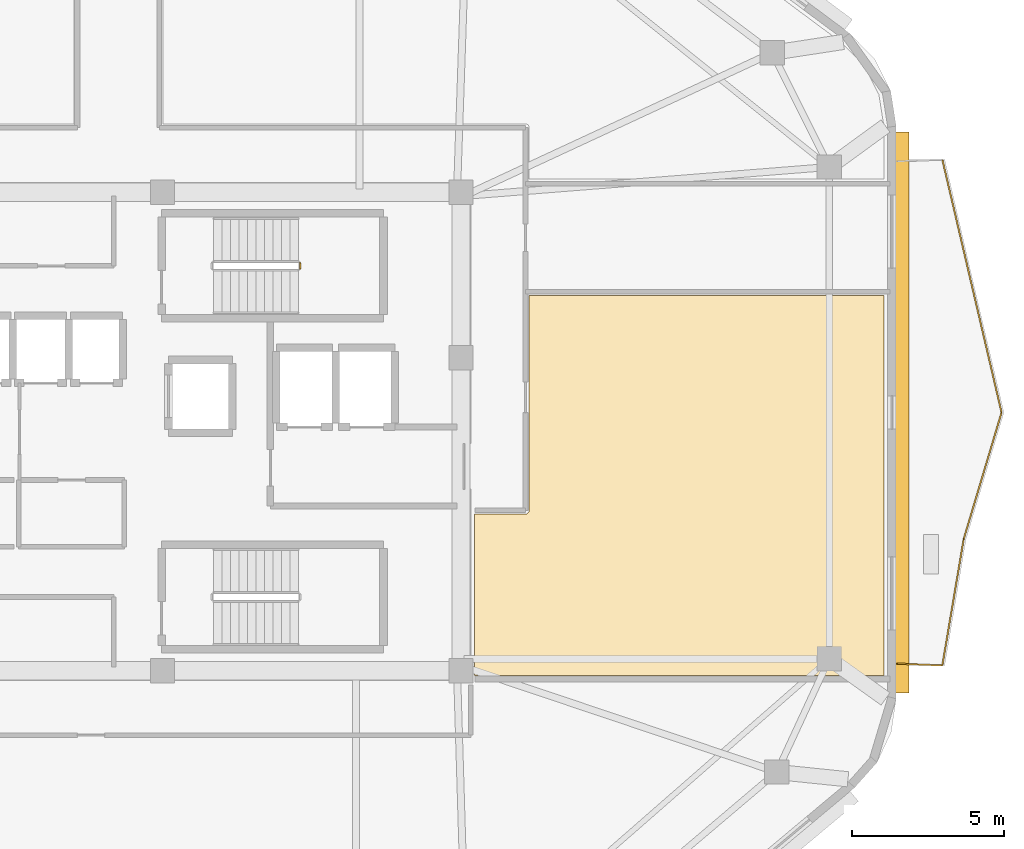
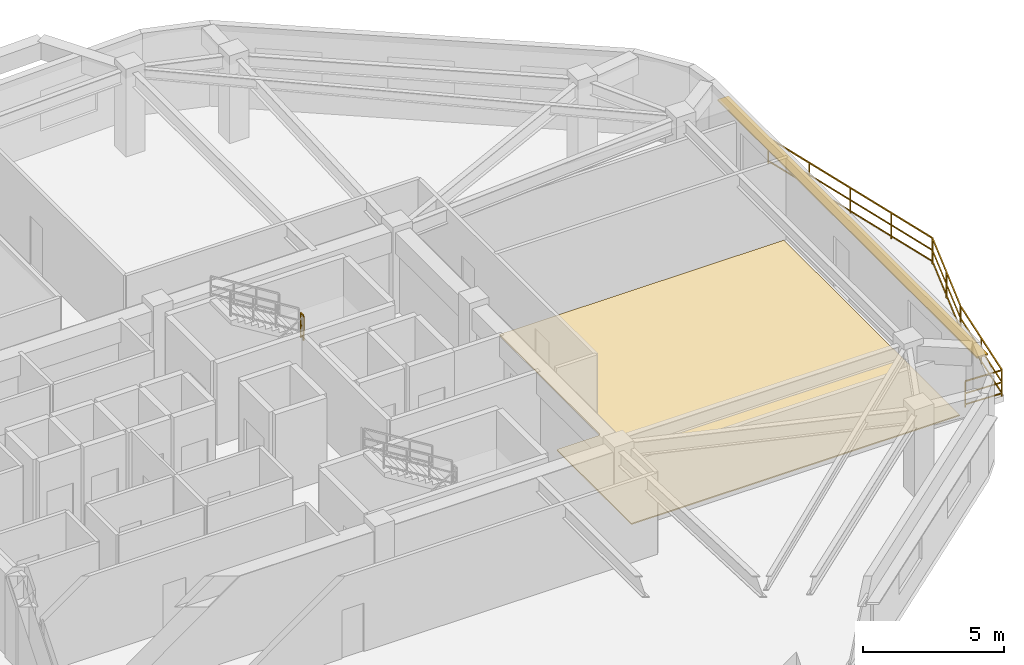
# One storey, part 12 of 13: 5 railings, 1 covering, 1 shading device.
"""IFC4 building model written with IfcOpenShell, lengths in metres."""

from ifc_helpers import new_model, si_unit, direction, frame, origin, origin_2d, place, context, subcontext, project, spatial, polyline, rectangle, outline, extrude, material, layer, layer_set, type_object, element, save


model = new_model("IFC4")

# Units and contexts
model_context = context("Model", 3, precision=1e-05, world=origin(), true_north=direction((0.0, 1.0)))
body_context = subcontext(model_context, "Body", "Model", "MODEL_VIEW")
ifc_project = project(units=[si_unit("LENGTHUNIT", "METRE"), si_unit("AREAUNIT", "SQUARE_METRE"), si_unit("VOLUMEUNIT", "CUBIC_METRE"), si_unit("PLANEANGLEUNIT", "RADIAN"), si_unit("MASSUNIT", "GRAM", prefix="KILO")], contexts=[model_context])

# Site, building, storey
site_placement = place(None, origin())
site = spatial("IfcSite", under=ifc_project, at=site_placement, CompositionType="ELEMENT")
building_placement = place(site_placement, origin())
building = spatial("IfcBuilding", under=site, at=building_placement, Name="Zulverin Broadcast Headquarters", CompositionType="ELEMENT")
storey_placement = place(building_placement, frame((0.0, 0.0, 278.199951171875)))
storey = spatial("IfcBuildingStorey", under=building, at=storey_placement, Name="L71", CompositionType="ELEMENT", Elevation=278.199951171875)

# Covering
ifc_material_1 = material(Name="Anti-static broadcast raised access flooring", Category="stone")
ifc_layer_1 = layer(ifc_material_1, 0.050048828125, Name="Anti-static broadcast raised access flooring", Category="stone")
ifc_layer_set_1 = layer_set([ifc_layer_1], Name="Anti-static broadcast raised access flooring")
covering_type = type_object("IfcCoveringType", Name="COV-FLR-RAISED", PredefinedType="FLOORING", material=ifc_layer_set_1)
covering_placement = place(storey_placement, origin())
element("IfcCovering", 1, at=covering_placement, inside=storey, type_object=covering_type, Name="L71 Broadcast Raised Access Flooring 02", PredefinedType="FLOORING", context=body_context, shape_type="SweptSolid", body=[
    extrude(outline(polyline([(62.199951171875, 17.172119140625), (62.199951171875, 29.679931640625), (50.52001953125, 29.679931640625), (50.52001953125, 22.60009765625), (50.52001953125, 22.587890625), (50.51611328125, 22.575927734375), (50.51611328125, 22.56396484375), (50.511962890625, 22.555908203125), (50.50390625, 22.5439453125), (50.5, 22.531982421875), (50.491943359375, 22.52392578125), (50.48388671875, 22.51611328125), (50.47607421875, 22.508056640625), (50.468017578125, 22.5), (50.4560546875, 22.49609375), (50.444091796875, 22.488037109375), (50.43603515625, 22.48388671875), (50.424072265625, 22.48388671875), (50.412109375, 22.47998046875), (50.39990234375, 22.47998046875), (48.719970703125, 22.47998046875), (48.719970703125, 17.172119140625), (62.199951171875, 17.172119140625)])), origin(), (0.0, 0.0, 1.0), 0.050048828125),
])

# Railings
ifc_material_2 = material(Name="Brushed stainless steel & laminated glass balustrade", Category="steel")
railing_type_1 = type_object("IfcRailingType", Name="RL-GUARD-1150", PredefinedType="GUARDRAIL", material=ifc_material_2)
railing_1_placement = place(storey_placement, frame((62.639892578125, 17.555419921875, 0.0)))
element("IfcRailing", 2, at=railing_1_placement, inside=storey, type_object=railing_type_1, Name="L71 Vertical-Forest Balcony Guardrail BAL_E Segment 01", PredefinedType="GUARDRAIL", context=body_context, shape_type="SweptSolid", body=[
    extrude(rectangle(XDim=0.048095703125, YDim=0.048095703125, at=origin_2d()), frame((0.0, 0.0, 1.1259765625), z_axis=(0.999181155166, -0.040460093435, 0.0), x_axis=(0.040460093435, 0.999181155166, 0.0)), (0.0, 0.0, 1.0), 1.46630859375),
    extrude(rectangle(XDim=0.0419921875, YDim=0.0419921875, at=origin_2d()), frame((0.0, 0.0, 0.597900390625), z_axis=(0.999181155166, -0.040460093435, 0.0), x_axis=(0.040460093435, 0.999181155166, 0.0)), (0.0, 0.0, 1.0), 1.46630859375),
    extrude(rectangle(XDim=0.0419921875, YDim=0.0419921875, at=origin_2d()), frame((0.0, 0.0, 0.1201171875), z_axis=(0.999181155166, -0.040460093435, 0.0), x_axis=(0.040460093435, 0.999181155166, 0.0)), (0.0, 0.0, 1.0), 1.46630859375),
    extrude(rectangle(XDim=0.0419921875, YDim=0.0419921875, at=origin_2d()), origin(), (0.0, 0.0, 1.0), 1.101806640625),
    extrude(rectangle(XDim=0.0419921875, YDim=0.0419921875, at=origin_2d()), frame((1.465087890625, -0.059326171875, 0.0)), (0.0, 0.0, 1.0), 1.101806640625),
])
railing_2_placement = place(storey_placement, frame((64.12255859375, 17.51025390625, 0.0)))
element("IfcRailing", 3, at=railing_2_placement, inside=storey, type_object=railing_type_1, Name="L71 Vertical-Forest Balcony Guardrail BAL_E Segment 02", PredefinedType="GUARDRAIL", context=body_context, shape_type="SweptSolid", body=[
    extrude(rectangle(XDim=0.048095703125, YDim=0.048095703125, at=origin_2d()), frame((0.0, 0.0, 1.1259765625), z_axis=(0.166711990375, 0.986005635007, 0.0), x_axis=(-0.986005635007, 0.166711990375, 0.0)), (0.0, 0.0, 1.0), 4.192626953125),
    extrude(rectangle(XDim=0.0419921875, YDim=0.0419921875, at=origin_2d()), frame((0.0, 0.0, 0.597900390625), z_axis=(0.166711990375, 0.986005635007, 0.0), x_axis=(-0.986005635007, 0.166711990375, 0.0)), (0.0, 0.0, 1.0), 4.192626953125),
    extrude(rectangle(XDim=0.0419921875, YDim=0.0419921875, at=origin_2d()), frame((0.0, 0.0, 0.1201171875), z_axis=(0.166711990375, 0.986005635007, 0.0), x_axis=(-0.986005635007, 0.166711990375, 0.0)), (0.0, 0.0, 1.0), 4.192626953125),
    extrude(rectangle(XDim=0.0419921875, YDim=0.0419921875, at=origin_2d()), origin(), (0.0, 0.0, 1.0), 1.101806640625),
    extrude(rectangle(XDim=0.0419921875, YDim=0.0419921875, at=origin_2d()), frame((0.349609375, 2.06689453125, 0.0)), (0.0, 0.0, 1.0), 1.101806640625),
    extrude(rectangle(XDim=0.0419921875, YDim=0.0419921875, at=origin_2d()), frame((0.698974609375, 4.134033203125, 0.0)), (0.0, 0.0, 1.0), 1.101806640625),
])
railing_3_placement = place(storey_placement, frame((64.828369140625, 21.673583984375, 0.0)))
element("IfcRailing", 4, at=railing_3_placement, inside=storey, type_object=railing_type_1, Name="L71 Vertical-Forest Balcony Guardrail BAL_E Segment 03", PredefinedType="GUARDRAIL", context=body_context, shape_type="SweptSolid", body=[
    extrude(rectangle(XDim=0.048095703125, YDim=0.048095703125, at=origin_2d()), frame((0.0, 0.0, 1.1259765625), z_axis=(0.28668353884, 0.958025338161, 0.0), x_axis=(-0.958025338161, 0.28668353884, 0.0)), (0.0, 0.0, 1.0), 4.31591796875),
    extrude(rectangle(XDim=0.0419921875, YDim=0.0419921875, at=origin_2d()), frame((0.0, 0.0, 0.597900390625), z_axis=(0.28668353884, 0.958025338161, 0.0), x_axis=(-0.958025338161, 0.28668353884, 0.0)), (0.0, 0.0, 1.0), 4.31591796875),
    extrude(rectangle(XDim=0.0419921875, YDim=0.0419921875, at=origin_2d()), frame((0.0, 0.0, 0.1201171875), z_axis=(0.28668353884, 0.958025338161, 0.0), x_axis=(-0.958025338161, 0.28668353884, 0.0)), (0.0, 0.0, 1.0), 4.31591796875),
    extrude(rectangle(XDim=0.0419921875, YDim=0.0419921875, at=origin_2d()), origin(), (0.0, 0.0, 1.0), 1.101806640625),
    extrude(rectangle(XDim=0.0419921875, YDim=0.0419921875, at=origin_2d()), frame((0.61865234375, 2.0673828125, 0.0)), (0.0, 0.0, 1.0), 1.101806640625),
    extrude(rectangle(XDim=0.0419921875, YDim=0.0419921875, at=origin_2d()), frame((1.2373046875, 4.134765625, 0.0)), (0.0, 0.0, 1.0), 1.101806640625),
])
railing_4_placement = place(storey_placement, frame((66.066650390625, 25.83740234375, 0.0)))
element("IfcRailing", 5, at=railing_4_placement, inside=storey, type_object=railing_type_1, Name="L71 Vertical-Forest Balcony Guardrail BAL_E Segment 04", PredefinedType="GUARDRAIL", context=body_context, shape_type="SweptSolid", body=[
    extrude(rectangle(XDim=0.048095703125, YDim=0.048095703125, at=origin_2d()), frame((0.0, 0.0, 1.1259765625), z_axis=(-0.228023724905, 0.973655576105, 0.0), x_axis=(-0.973655576105, -0.228023724905, 0.0)), (0.0, 0.0, 1.0), 8.522705078125),
    extrude(rectangle(XDim=0.0419921875, YDim=0.0419921875, at=origin_2d()), frame((0.0, 0.0, 0.597900390625), z_axis=(-0.228023724905, 0.973655576105, 0.0), x_axis=(-0.973655576105, -0.228023724905, 0.0)), (0.0, 0.0, 1.0), 8.522705078125),
    extrude(rectangle(XDim=0.0419921875, YDim=0.0419921875, at=origin_2d()), frame((0.0, 0.0, 0.1201171875), z_axis=(-0.228023724905, 0.973655576105, 0.0), x_axis=(-0.973655576105, -0.228023724905, 0.0)), (0.0, 0.0, 1.0), 8.522705078125),
    extrude(rectangle(XDim=0.0419921875, YDim=0.0419921875, at=origin_2d()), origin(), (0.0, 0.0, 1.0), 1.101806640625),
    extrude(rectangle(XDim=0.0419921875, YDim=0.0419921875, at=origin_2d()), frame((-0.48583984375, 2.074462890625, 0.0)), (0.0, 0.0, 1.0), 1.101806640625),
    extrude(rectangle(XDim=0.0419921875, YDim=0.0419921875, at=origin_2d()), frame((-0.9716796875, 4.14892578125, 0.0)), (0.0, 0.0, 1.0), 1.101806640625),
    extrude(rectangle(XDim=0.0419921875, YDim=0.0419921875, at=origin_2d()), frame((-1.45751953125, 6.2236328125, 0.0)), (0.0, 0.0, 1.0), 1.101806640625),
    extrude(rectangle(XDim=0.0419921875, YDim=0.0419921875, at=origin_2d()), frame((-1.943359375, 8.298095703125, 0.0)), (0.0, 0.0, 1.0), 1.101806640625),
])
ifc_material_3 = material(Name="Painted galvanized steel tubular guardrail S355JR", Category="steel")
railing_type_2 = type_object("IfcRailingType", Name="RL-ST-GUARD", PredefinedType="GUARDRAIL", material=ifc_material_3)
railing_5_placement = place(storey_placement, frame((42.97998046875, 30.550048828125, 1.900146484375)))
element("IfcRailing", 6, at=railing_5_placement, inside=storey, type_object=railing_type_2, Name="L71 ST-1 stair guard 2", PredefinedType="GUARDRAIL", context=body_context, shape_type="SweptSolid", body=[
    extrude(rectangle(XDim=0.048095703125, YDim=0.048095703125, at=origin_2d()), frame((0.0, 0.0, 1.076171875), z_axis=(0.0, 1.0, 0.0), x_axis=(-1.0, 0.0, 0.0)), (0.0, 0.0, 1.0), 0.199951171875),
    extrude(rectangle(XDim=0.0419921875, YDim=0.0419921875, at=origin_2d()), frame((0.0, 0.0, 0.572021484375), z_axis=(0.0, 1.0, 0.0), x_axis=(-1.0, 0.0, 0.0)), (0.0, 0.0, 1.0), 0.199951171875),
    extrude(rectangle(XDim=0.0419921875, YDim=0.0419921875, at=origin_2d()), frame((0.0, 0.0, 0.1201171875), z_axis=(0.0, 1.0, 0.0), x_axis=(-1.0, 0.0, 0.0)), (0.0, 0.0, 1.0), 0.199951171875),
    extrude(rectangle(XDim=0.0419921875, YDim=0.0419921875, at=origin_2d()), origin(), (0.0, 0.0, 1.0), 1.052001953125),
    extrude(rectangle(XDim=0.0419921875, YDim=0.0419921875, at=origin_2d()), frame((0.0, 0.199951171875, 0.0)), (0.0, 0.0, 1.0), 1.052001953125),
])

# Shading device
ifc_material_4 = material(Name="Anodized pale-metal aluminium sunshade", Category="aluminium")
ifc_layer_2 = layer(ifc_material_4, 0.06005859375, Name="Anodized pale-metal aluminium sunshade", Category="aluminium")
ifc_layer_set_2 = layer_set([ifc_layer_2], Name="Anodized pale-metal aluminium sunshade")
shading_device_type = type_object("IfcShadingDeviceType", Name="SS-01_PALE_METAL_ALUMINIUM_SUNSHADE", PredefinedType="USERDEFINED", material=ifc_layer_set_2)
shading_device_placement = place(storey_placement, frame((62.800048828125, 25.82275390625, 2.7099609375), z_axis=(0.0, 0.0, 1.0), x_axis=(0.0, 1.0, 0.0)))
element("IfcShadingDevice", 7, at=shading_device_placement, inside=storey, type_object=shading_device_type, Name="L71 Horizontal Pale-Metal Sunshade Band 3", ObjectType="SUNSHADE", PredefinedType="USERDEFINED", context=body_context, shape_type="SweptSolid", body=[
    extrude(rectangle(XDim=18.45458984375, YDim=0.449951171875, at=origin_2d()), origin(), (0.0, 0.0, 1.0), 0.06005859375),
])

save(model, "model.ifc")
